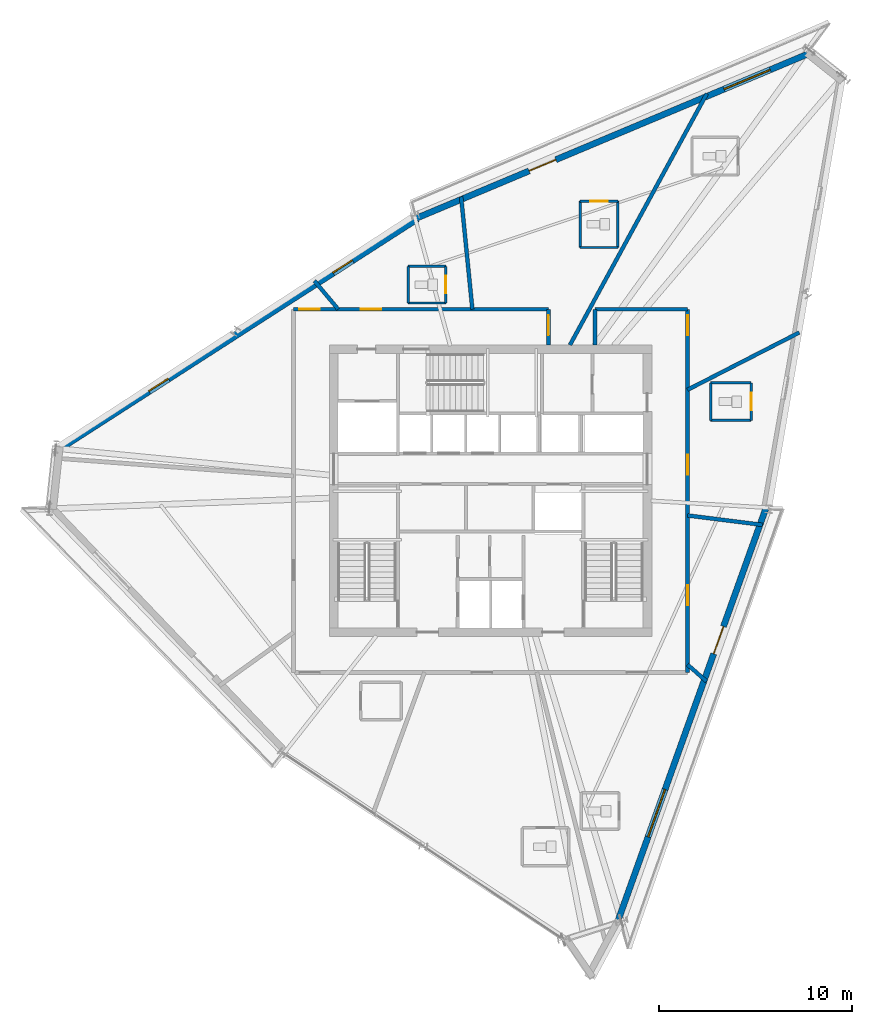
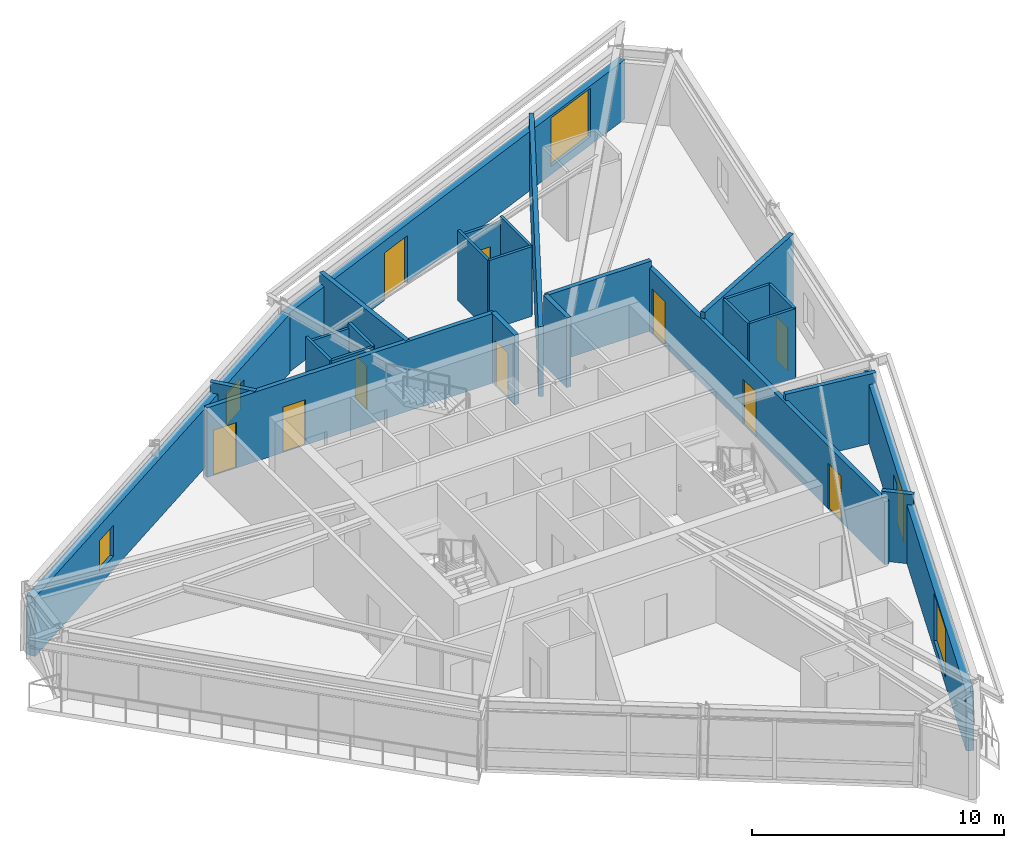
# One storey, part 10 of 15: 26 walls, 11 doors, 4 windows, 15 openings.
"""IFC4 building model written with IfcOpenShell, lengths in metres."""

import ifcopenshell
import ifcopenshell.guid

model = None  # the IFC model being written
_history = None  # IfcOwnerHistory: only IFC2X3 demands one
_inside = {}  # id of a spatial element -> (the spatial element, [elements in it])
_under = {}  # id of a project, library or spatial element -> (it, [spatial elements below it])
_declared = {}  # id of a project -> (the project, [libraries it declares])
_typed = {}  # id of a type object -> (the type object, [elements of that type])
_made_of = {}  # id of a material, layer set ... -> (it, [elements and type objects made of it])


def new_model(schema):
    """Start an empty IFC model of exactly this schema.

    Asked for "IFC4X3", IfcOpenShell would pick the latest addendum, in which some entities
    have other attributes; the version numbers below select the first issue.
    IFC2X3 requires an IfcOwnerHistory on every rooted entity: one is made here for all.
    """
    global model, _history
    if schema == "IFC4X3":
        model = ifcopenshell.file(schema_version=(4, 3, 0, 0))
    else:
        model = ifcopenshell.file(schema=schema)
    _inside.clear()
    _under.clear()
    _declared.clear()
    _typed.clear()
    _made_of.clear()
    _history = None
    if model.schema == "IFC2X3":
        org = make("IfcOrganization", Name="unknown")
        user = make(
            "IfcPersonAndOrganization",
            ThePerson=make("IfcPerson", FamilyName="unknown"),
            TheOrganization=org,
        )
        app = make(
            "IfcApplication",
            ApplicationDeveloper=org,
            Version="unknown",
            ApplicationFullName="unknown",
            ApplicationIdentifier="unknown",
        )
        _history = make(
            "IfcOwnerHistory",
            OwningUser=user,
            OwningApplication=app,
            ChangeAction="ADDED",
            CreationDate=0,
        )
    return model


def make(cls, **values):
    """One entity of the class cls with the attributes given. An attribute that is None is left unset."""
    return model.create_entity(
        cls, **{name: value for name, value in values.items() if value is not None}
    )


def rooted(cls, **values):
    """An entity with a GlobalId (a new one), such as an element, a storey or a relation."""
    return make(cls, GlobalId=ifcopenshell.guid.new(), OwnerHistory=_history, **values)


def si_unit(unit_type, name, prefix=None):
    """IfcSIUnit, for example si_unit("LENGTHUNIT", "METRE", prefix="MILLI")."""
    return make("IfcSIUnit", UnitType=unit_type, Prefix=prefix, Name=name)


def assignment(units):
    """IfcUnitAssignment: the units of a project."""
    return None if units is None else make("IfcUnitAssignment", Units=units)


def point(xyz):
    """IfcCartesianPoint."""
    return None if xyz is None else make("IfcCartesianPoint", Coordinates=xyz)


def direction(xyz):
    """IfcDirection."""
    return None if xyz is None else make("IfcDirection", DirectionRatios=xyz)


def frame(location, z_axis=None, x_axis=None):
    """IfcAxis2Placement3D, a coordinate frame: its origin and axes. An axis left out is left unset."""
    return make(
        "IfcAxis2Placement3D",
        Location=point(location),
        Axis=direction(z_axis),
        RefDirection=direction(x_axis),
    )


def frame_2d(location, x_axis=None):
    """IfcAxis2Placement2D, a coordinate frame in the plane: its origin and x axis."""
    return make(
        "IfcAxis2Placement2D", Location=point(location), RefDirection=direction(x_axis)
    )


def origin():
    """The frame at (0, 0, 0) with its axes left unset."""
    return frame((0.0, 0.0, 0.0))


def place(relative_to, where):
    """IfcLocalPlacement: puts the frame where relative to a parent placement (None: the world)."""
    return make(
        "IfcLocalPlacement", PlacementRelTo=relative_to, RelativePlacement=where
    )


def context(
    kind, dimensions, precision=None, world=None, true_north=None, identifier=None
):
    """IfcGeometricRepresentationContext, for example the 3D "Model" context."""
    return make(
        "IfcGeometricRepresentationContext",
        ContextIdentifier=identifier,
        ContextType=kind,
        CoordinateSpaceDimension=dimensions,
        Precision=precision,
        WorldCoordinateSystem=world,
        TrueNorth=true_north,
    )


def subcontext(parent, identifier, kind, view, scale=None):
    """IfcGeometricRepresentationSubContext, for example "Body" below "Model"."""
    return make(
        "IfcGeometricRepresentationSubContext",
        ContextIdentifier=identifier,
        ContextType=kind,
        ParentContext=parent,
        TargetScale=scale,
        TargetView=view,
    )


def project(units=None, contexts=None):
    """IfcProject with its units and contexts."""
    return rooted(
        "IfcProject",
        Name="project",
        RepresentationContexts=contexts,
        UnitsInContext=assignment(units),
    )


def spatial(cls, under=None, at=None, **own):
    """A site, building, storey or space (cls), placed at a placement, below another one or the project."""
    s = rooted(cls, ObjectPlacement=at, **own)
    if under is not None:
        _under.setdefault(under.id(), (under, []))[1].append(s)
    return s


def profile(cls, at=None, kind="AREA", **sizes):
    """A parametric profile (cls). Its sizes go by their IFC names, for example OverallWidth=200.0."""
    return make(cls, ProfileType=kind, Position=at, **sizes)


def rectangle(**sizes):
    """IfcRectangleProfileDef."""
    return profile("IfcRectangleProfileDef", **sizes)


def extrude(swept, where, along, depth):
    """IfcExtrudedAreaSolid: the profile swept, set in the frame where, extruded along a direction by depth."""
    return make(
        "IfcExtrudedAreaSolid",
        SweptArea=swept,
        Position=where,
        ExtrudedDirection=direction(along),
        Depth=depth,
    )


def shape(context_of_items, identifier, shape_type, items):
    """IfcShapeRepresentation: the items that make up one representation, for example the "Body"."""
    return make(
        "IfcShapeRepresentation",
        ContextOfItems=context_of_items,
        RepresentationIdentifier=identifier,
        RepresentationType=shape_type,
        Items=items,
    )


def source(mapping_origin, context_of_items, identifier, shape_type, items):
    """IfcRepresentationMap: a shape defined once, which mapped items show again and again."""
    return make(
        "IfcRepresentationMap",
        MappingOrigin=mapping_origin,
        MappedRepresentation=shape(context_of_items, identifier, shape_type, items),
    )


def transform(
    local_origin,
    x_axis=None,
    y_axis=None,
    z_axis=None,
    scale=None,
    scale2=None,
    scale3=None,
    uniform=True,
):
    """IfcCartesianTransformationOperator3D, or its non-uniform kind. x_axis, y_axis, z_axis: its Axis1, 2, 3."""
    if uniform:
        return make(
            "IfcCartesianTransformationOperator3D",
            Axis1=direction(x_axis),
            Axis2=direction(y_axis),
            LocalOrigin=point(local_origin),
            Scale=scale,
            Axis3=direction(z_axis),
        )
    return make(
        "IfcCartesianTransformationOperator3DnonUniform",
        Axis1=direction(x_axis),
        Axis2=direction(y_axis),
        LocalOrigin=point(local_origin),
        Scale=scale,
        Axis3=direction(z_axis),
        Scale2=scale2,
        Scale3=scale3,
    )


def mapped(mapping_source, mapping_target):
    """IfcMappedItem: shows the shape of a source again, moved by a transform."""
    return make(
        "IfcMappedItem", MappingSource=mapping_source, MappingTarget=mapping_target
    )


def material(Name=None, Category=None):
    """IfcMaterial."""
    return make("IfcMaterial", Name=Name, Category=Category)


def layer(
    of_material, thickness, ventilated=None, Name=None, Category=None, Priority=None
):
    """IfcMaterialLayer: one layer of a wall or slab, of a material (None: an air gap)."""
    return make(
        "IfcMaterialLayer",
        Material=of_material,
        LayerThickness=thickness,
        IsVentilated=ventilated,
        Name=Name,
        Category=Category,
        Priority=Priority,
    )


def layer_set(layers, Name=None):
    """IfcMaterialLayerSet."""
    return make("IfcMaterialLayerSet", MaterialLayers=layers, LayerSetName=Name)


def made_of(thing, what):
    """Note that an element or type object is made of a material, layer set ...; save() writes the relation."""
    if what is not None:
        _made_of.setdefault(what.id(), (what, []))[1].append(thing)
    return thing


def type_object(cls, material=None, **own):
    """A type object (cls), such as IfcWallType, which elements share."""
    return made_of(rooted(cls, **own), material)


def type_shapes(of_type, sources):
    """Give a type object the sources (RepresentationMaps) that its elements show as mapped items."""
    of_type.RepresentationMaps = sources


def element(
    cls,
    number,
    at=None,
    inside=None,
    cuts=None,
    type_object=None,
    material=None,
    context=None,
    identifier="Body",
    shape_type=None,
    held_by="IfcProductDefinitionShape",
    body=None,
    shapes=None,
    **own,
):
    """One element of the class cls, such as IfcWall. Its Tag is "e" and its number.

    at: its placement. inside: the storey or other place that contains it. cuts: it is an
    opening in that element (IfcRelVoidsElement). A single representation is given by context,
    identifier, shape_type and body (its items); several are given by shapes. held_by: the class
    of the entity that holds the representations. save() writes the other relations.
    """
    e = rooted(cls, Tag="e%d" % number, ObjectPlacement=at, **own)
    if body is not None:
        shapes = [shape(context, identifier, shape_type, body)]
    if shapes is not None:
        e.Representation = make(held_by, Representations=shapes)
    if inside is not None:
        _inside.setdefault(inside.id(), (inside, []))[1].append(e)
    if cuts is not None:
        rooted(
            "IfcRelVoidsElement", RelatingBuildingElement=cuts, RelatedOpeningElement=e
        )
    if type_object is not None:
        _typed.setdefault(type_object.id(), (type_object, []))[1].append(e)
    return made_of(e, material)


def fill(opening, filler):
    """IfcRelFillsElement: the door or window that sits in an opening."""
    return rooted(
        "IfcRelFillsElement",
        RelatingOpeningElement=opening,
        RelatedBuildingElement=filler,
    )


def aggregate(whole, parts):
    """IfcRelAggregates: a whole, such as a stair, and the parts it consists of."""
    return rooted("IfcRelAggregates", RelatingObject=whole, RelatedObjects=parts)


def save(model, path):
    """Write the relations noted so far, then the file.

    IfcRelAggregates (storeys below a building ...), IfcRelContainedInSpatialStructure (elements
    in a storey), IfcRelDefinesByType, IfcRelAssociatesMaterial and IfcRelDeclares: one each for
    every whole, place, type object, material and project.
    """
    for whole, parts in _under.values():
        aggregate(whole, parts)
    for where, things in _inside.values():
        rooted(
            "IfcRelContainedInSpatialStructure",
            RelatedElements=things,
            RelatingStructure=where,
        )
    for kind, things in _typed.values():
        rooted("IfcRelDefinesByType", RelatedObjects=things, RelatingType=kind)
    for what, things in _made_of.values():
        rooted("IfcRelAssociatesMaterial", RelatedObjects=things, RelatingMaterial=what)
    for by, libraries in _declared.values():
        rooted("IfcRelDeclares", RelatingContext=by, RelatedDefinitions=libraries)
    model.write(path)


model = new_model("IFC4")

# Units and contexts
model_context = context("Model", 3, precision=1e-05, world=origin(), true_north=direction((0.0, 1.0)))
body_context = subcontext(model_context, "Body", "Model", "MODEL_VIEW")
ifc_project = project(units=[si_unit("LENGTHUNIT", "METRE"), si_unit("AREAUNIT", "SQUARE_METRE"), si_unit("VOLUMEUNIT", "CUBIC_METRE"), si_unit("PLANEANGLEUNIT", "RADIAN"), si_unit("MASSUNIT", "GRAM", prefix="KILO")], contexts=[model_context])

# Site, building, storey
site_placement = place(None, origin())
site = spatial("IfcSite", under=ifc_project, at=site_placement, CompositionType="ELEMENT")
building_placement = place(site_placement, origin())
building = spatial("IfcBuilding", under=site, at=building_placement, Name="Olszyna Solenne Hotel", CompositionType="ELEMENT")
storey_placement = place(building_placement, frame((0.0, 0.0, 245.300048828125)))
storey = spatial("IfcBuildingStorey", under=building, at=storey_placement, Name="L65", CompositionType="ELEMENT", Elevation=245.300048828125)

# Wall, openings, door, window
ifc_material_1 = material(Name="Precast concrete C45/55", Category="concrete")
ifc_layer_1 = layer(ifc_material_1, 0.320068359375, Name="Precast concrete C45/55")
ifc_layer_set_1 = layer_set([ifc_layer_1], Name="Precast concrete C45/55")
wall_type_1 = type_object("IfcWallType", Name="WL-EX320", PredefinedType="SOLIDWALL", material=ifc_layer_set_1)
wall_1_placement = place(storey_placement, frame((52.257080078125, 25.692626953125, 0.0), z_axis=(0.0, 0.0, 1.0), x_axis=(-0.337512626034, -0.941321001183, 0.0)))
wall_1 = element("IfcWall", 1, at=wall_1_placement, inside=storey, type_object=wall_type_1, Name="Exterior terracotta-precast frame wall WL-EX320 EW-L65-01", PredefinedType="SOLIDWALL", context=body_context, shape_type="SweptSolid", body=[
    extrude(rectangle(XDim=22.663330078125, YDim=0.320068359375, at=frame_2d((11.33154296875, 0.0))), origin(), (0.0, 0.0, 1.0), 2.8720703125),
])
opening_1_placement = place(wall_1_placement, frame((6.501953125, 0.0, 0.0)))
opening_1 = element("IfcOpeningElement", 2, at=opening_1_placement, cuts=wall_1, Name="Opening LDG-L65-3", PredefinedType="OPENING", context=body_context, shape_type="SweptSolid", body=[
    extrude(rectangle(XDim=1.5, YDim=2.300048828125, at=frame_2d((0.75, 1.14990234375))), frame((0.0, 0.169921875, 0.0), z_axis=(0.0, -1.0, 0.0), x_axis=(1.0, 0.0, 0.0)), (0.0, 0.0, 1.0), 0.340087890625),
])
opening_2_placement = place(wall_1_placement, frame((15.470947265625, 0.0, 0.402099609375)))
opening_2 = element("IfcOpeningElement", 3, at=opening_2_placement, cuts=wall_1, Name="Opening WN-L65-425", PredefinedType="OPENING", context=body_context, shape_type="SweptSolid", body=[
    extrude(rectangle(XDim=2.60009765625, YDim=2.35009765625, at=frame_2d((1.300048828125, 1.175048828125))), frame((0.0, 0.169921875, 0.0), z_axis=(0.0, -1.0, 0.0), x_axis=(1.0, 0.0, 0.0)), (0.0, 0.0, 1.0), 0.340087890625),
])
ifc_material_2 = material(Name="Anodised bronze aluminium", Category="aluminium")
door_type_1 = type_object("IfcDoorType", Name="DR-LG2", OperationType="DOUBLE_DOOR_SINGLE_SWING", PredefinedType="DOOR", material=ifc_material_2)
shared_shape_1 = source(origin(), body_context, "Body", "SweptSolid", [
    extrude(rectangle(XDim=1.5, YDim=2.300048828125, at=frame_2d((0.75, 1.14990234375))), frame((0.0, 0.02490234375, 0.0), z_axis=(0.0, -1.0, 0.0), x_axis=(1.0, 0.0, 0.0)), (0.0, 0.0, 1.0), 0.050048828125),
])
type_shapes(door_type_1, [shared_shape_1])
door_1_placement = place(opening_1_placement, origin())
door_1 = element("IfcDoor", 4, at=door_1_placement, inside=storey, type_object=door_type_1, Name="Exterior loggia balcony door DR-LG2 LDG-L65-3", OperationType="DOUBLE_DOOR_SINGLE_SWING", OverallHeight=2.300048828125, OverallWidth=1.5, PredefinedType="DOOR", context=body_context, shape_type="MappedRepresentation", body=[
    mapped(shared_shape_1, transform((0.0, 0.0, 0.0), x_axis=(1.0, 0.0, 0.0), y_axis=(0.0, 1.0, 0.0), z_axis=(0.0, 0.0, 1.0), scale=1.0)),
])
fill(opening_1, door_1)
ifc_material_3 = material(Name="Low-E triple glazing", Category="glass")
window_type_1 = type_object("IfcWindowType", Name="WN-ST1", PartitioningType="SINGLE_PANEL", PredefinedType="WINDOW", material=ifc_material_3)
shared_shape_2 = source(origin(), body_context, "Body", "SweptSolid", [
    extrude(rectangle(XDim=2.60009765625, YDim=2.35009765625, at=frame_2d((1.300048828125, 1.175048828125))), frame((0.0, 0.030029296875, 0.0), z_axis=(0.0, -1.0, 0.0), x_axis=(1.0, 0.0, 0.0)), (0.0, 0.0, 1.0), 0.06005859375),
])
type_shapes(window_type_1, [shared_shape_2])
window_1_placement = place(opening_2_placement, origin())
window_1 = element("IfcWindow", 5, at=window_1_placement, inside=storey, type_object=window_type_1, Name="Loggia room window WN-ST1 WN-L65-425", OverallHeight=2.35009765625, OverallWidth=2.60009765625, PartitioningType="SINGLE_PANEL", PredefinedType="WINDOW", context=body_context, shape_type="MappedRepresentation", body=[
    mapped(shared_shape_2, transform((0.0, 0.0, 0.0), x_axis=(1.0, 0.0, 0.0), y_axis=(0.0, 1.0, 0.0), z_axis=(0.0, 0.0, 1.0), scale=1.0)),
])
fill(opening_2, window_1)

wall_2_placement = place(storey_placement, frame((34.15966796875, 40.714599609375, 0.0), z_axis=(0.0, 0.0, 1.0), x_axis=(0.922135211304, 0.386867744937, 0.0)))
wall_2 = element("IfcWall", 6, at=wall_2_placement, inside=storey, type_object=wall_type_1, Name="Exterior terracotta-precast frame wall WL-EX320 EW-L65-08", PredefinedType="SOLIDWALL", context=body_context, shape_type="SweptSolid", body=[
    extrude(rectangle(XDim=22.1240234375, YDim=0.320068359375, at=frame_2d((11.06201171875, 0.0))), origin(), (0.0, 0.0, 1.0), 2.8720703125),
])
opening_3_placement = place(wall_2_placement, frame((6.330078125, 0.0, 0.0)))
opening_3 = element("IfcOpeningElement", 7, at=opening_3_placement, cuts=wall_2, Name="Opening LDG-L65-1", PredefinedType="OPENING", context=body_context, shape_type="SweptSolid", body=[
    extrude(rectangle(XDim=1.5, YDim=2.300048828125, at=frame_2d((0.75, 1.14990234375))), frame((0.0, 0.169921875, 0.0), z_axis=(0.0, -1.0, 0.0), x_axis=(1.0, 0.0, 0.0)), (0.0, 0.0, 1.0), 0.340087890625),
])
opening_4_placement = place(wall_2_placement, frame((17.27197265625, 0.0, 0.402099609375)))
opening_4 = element("IfcOpeningElement", 8, at=opening_4_placement, cuts=wall_2, Name="Opening WN-L65-429", PredefinedType="OPENING", context=body_context, shape_type="SweptSolid", body=[
    extrude(rectangle(XDim=2.60009765625, YDim=2.35009765625, at=frame_2d((1.300048828125, 1.175048828125))), frame((0.0, 0.169921875, 0.0), z_axis=(0.0, -1.0, 0.0), x_axis=(1.0, 0.0, 0.0)), (0.0, 0.0, 1.0), 0.340087890625),
])
door_2_placement = place(opening_3_placement, origin())
door_2 = element("IfcDoor", 9, at=door_2_placement, inside=storey, type_object=door_type_1, Name="Exterior loggia balcony door DR-LG2 LDG-L65-1", OperationType="DOUBLE_DOOR_SINGLE_SWING", OverallHeight=2.300048828125, OverallWidth=1.5, PredefinedType="DOOR", context=body_context, shape_type="MappedRepresentation", body=[
    mapped(shared_shape_1, transform((0.0, 0.0, 0.0), x_axis=(1.0, 0.0, 0.0), y_axis=(0.0, 1.0, 0.0), z_axis=(0.0, 0.0, 1.0), scale=1.0)),
])
fill(opening_3, door_2)
window_2_placement = place(opening_4_placement, origin())
window_2 = element("IfcWindow", 10, at=window_2_placement, inside=storey, type_object=window_type_1, Name="Loggia room window WN-ST1 WN-L65-429", OverallHeight=2.35009765625, OverallWidth=2.60009765625, PartitioningType="SINGLE_PANEL", PredefinedType="WINDOW", context=body_context, shape_type="MappedRepresentation", body=[
    mapped(shared_shape_2, transform((0.0, 0.0, 0.0), x_axis=(1.0, 0.0, 0.0), y_axis=(0.0, 1.0, 0.0), z_axis=(0.0, 0.0, 1.0), scale=1.0)),
])
fill(opening_4, window_2)

# Wall, openings, windows
ifc_material_4 = material(Name="Terracotta cladding on precast concrete C45/55", Category="masonry")
ifc_layer_2 = layer(ifc_material_4, 0.3798828125, Name="Terracotta cladding on precast concrete C45/55")
ifc_layer_set_2 = layer_set([ifc_layer_2], Name="Terracotta cladding on precast concrete C45/55")
wall_type_2 = type_object("IfcWallType", Name="WL-EX380", PredefinedType="SOLIDWALL", material=ifc_layer_set_2)
wall_3_placement = place(storey_placement, frame((15.593017578125, 28.734619140625, 0.0), z_axis=(0.0, 0.0, 1.0), x_axis=(0.841061212788, 0.54093995632, 0.0)))
wall_3 = element("IfcWall", 11, at=wall_3_placement, inside=storey, type_object=wall_type_2, Name="Exterior terracotta-precast frame wall WL-EX380 EW-L65-07", PredefinedType="SOLIDWALL", context=body_context, shape_type="SweptSolid", body=[
    extrude(rectangle(XDim=22.1240234375, YDim=0.3798828125, at=frame_2d((11.06201171875, 0.0))), origin(), (0.0, 0.0, 1.0), 2.8720703125),
])
opening_5_placement = place(wall_3_placement, frame((5.594970703125, 0.0, 0.64990234375)))
opening_5 = element("IfcOpeningElement", 12, at=opening_5_placement, cuts=wall_3, Name="Opening WN-L65-427", PredefinedType="OPENING", context=body_context, shape_type="SweptSolid", body=[
    extrude(rectangle(XDim=1.199951171875, YDim=1.5, at=frame_2d((0.60009765625, 0.75))), frame((0.0, 0.199951171875, 0.0), z_axis=(0.0, -1.0, 0.0), x_axis=(1.0, 0.0, 0.0)), (0.0, 0.0, 1.0), 0.39990234375),
])
opening_6_placement = place(wall_3_placement, frame((16.928955078125, 0.0, 0.64990234375)))
opening_6 = element("IfcOpeningElement", 13, at=opening_6_placement, cuts=wall_3, Name="Opening WN-L65-428", PredefinedType="OPENING", context=body_context, shape_type="SweptSolid", body=[
    extrude(rectangle(XDim=1.199951171875, YDim=1.5, at=frame_2d((0.60009765625, 0.75))), frame((0.0, 0.199951171875, 0.0), z_axis=(0.0, -1.0, 0.0), x_axis=(1.0, 0.0, 0.0)), (0.0, 0.0, 1.0), 0.39990234375),
])
window_type_2 = type_object("IfcWindowType", Name="WN-B1", PartitioningType="SINGLE_PANEL", PredefinedType="WINDOW", material=ifc_material_3)
shared_shape_3 = source(origin(), body_context, "Body", "SweptSolid", [
    extrude(rectangle(XDim=1.199951171875, YDim=1.5, at=frame_2d((0.60009765625, 0.75))), frame((0.0, 0.030029296875, 0.0), z_axis=(0.0, -1.0, 0.0), x_axis=(1.0, 0.0, 0.0)), (0.0, 0.0, 1.0), 0.06005859375),
])
type_shapes(window_type_2, [shared_shape_3])
window_3_placement = place(opening_5_placement, origin())
window_3 = element("IfcWindow", 14, at=window_3_placement, inside=storey, type_object=window_type_2, Name="Exterior facade window WN-B1 WN-L65-427", OverallHeight=1.5, OverallWidth=1.199951171875, PartitioningType="SINGLE_PANEL", PredefinedType="WINDOW", context=body_context, shape_type="MappedRepresentation", body=[
    mapped(shared_shape_3, transform((0.0, 0.0, 0.0), x_axis=(1.0, 0.0, 0.0), y_axis=(0.0, 1.0, 0.0), z_axis=(0.0, 0.0, 1.0), scale=1.0)),
])
fill(opening_5, window_3)
window_4_placement = place(opening_6_placement, origin())
window_4 = element("IfcWindow", 15, at=window_4_placement, inside=storey, type_object=window_type_2, Name="Exterior facade window WN-B1 WN-L65-428", OverallHeight=1.5, OverallWidth=1.199951171875, PartitioningType="SINGLE_PANEL", PredefinedType="WINDOW", context=body_context, shape_type="MappedRepresentation", body=[
    mapped(shared_shape_3, transform((0.0, 0.0, 0.0), x_axis=(1.0, 0.0, 0.0), y_axis=(0.0, 1.0, 0.0), z_axis=(0.0, 0.0, 1.0), scale=1.0)),
])
fill(opening_6, window_4)

# Wall, opening, door
ifc_material_5 = material(Name="Acoustic gypsum partition", Category="gypsum")
ifc_layer_3 = layer(ifc_material_5, 0.125, Name="Acoustic gypsum partition")
ifc_layer_set_3 = layer_set([ifc_layer_3], Name="Acoustic gypsum partition")
wall_type_3 = type_object("IfcWallType", Name="WL-PT125", PredefinedType="PARTITIONING", material=ifc_layer_set_3)
wall_4_placement = place(storey_placement, frame((51.4990234375, 30.243896484375, 0.0), z_axis=(0.0, 0.0, 1.0), x_axis=(0.0, 1.0, 0.0)))
wall_4 = element("IfcWall", 16, at=wall_4_placement, inside=storey, type_object=wall_type_3, Name="Interior acoustic partition WL-PT125 PW-L65-3596", PredefinedType="PARTITIONING", context=body_context, shape_type="SweptSolid", body=[
    extrude(rectangle(XDim=1.9501953125, YDim=0.125, at=frame_2d((0.97509765625, 0.0))), origin(), (0.0, 0.0, 1.0), 3.3798828125),
])
opening_7_placement = place(wall_4_placement, frame((0.52490234375, 0.0, 0.0)))
opening_7 = element("IfcOpeningElement", 17, at=opening_7_placement, cuts=wall_4, Name="Opening DR-L65-0871", PredefinedType="OPENING", context=body_context, shape_type="SweptSolid", body=[
    extrude(rectangle(XDim=0.89990234375, YDim=2.10009765625, at=frame_2d((0.449951171875, 1.050048828125))), frame((0.0, 0.072509765625, 0.0), z_axis=(0.0, -1.0, 0.0), x_axis=(1.0, 0.0, 0.0)), (0.0, 0.0, 1.0), 0.14501953125),
])
ifc_material_6 = material(Name="Timber hardwood", Category="wood")
door_type_2 = type_object("IfcDoorType", Name="DR-WC1", OperationType="NOTDEFINED", PredefinedType="DOOR", material=ifc_material_6)
shared_shape_4 = source(origin(), body_context, "Body", "SweptSolid", [
    extrude(rectangle(XDim=0.89990234375, YDim=2.10009765625, at=frame_2d((0.449951171875, 1.050048828125))), frame((0.0, 0.02490234375, 0.0), z_axis=(0.0, -1.0, 0.0), x_axis=(1.0, 0.0, 0.0)), (0.0, 0.0, 1.0), 0.050048828125),
])
type_shapes(door_type_2, [shared_shape_4])
door_3_placement = place(opening_7_placement, origin())
door_3 = element("IfcDoor", 18, at=door_3_placement, inside=storey, type_object=door_type_2, Name="En-Suite Bathroom Door DR-L65-0871", OperationType="SINGLE_SWING_RIGHT", OverallHeight=2.10009765625, OverallWidth=0.89990234375, PredefinedType="DOOR", context=body_context, shape_type="MappedRepresentation", body=[
    mapped(shared_shape_4, transform((0.0, 0.0, 0.0), x_axis=(1.0, 0.0, 0.0), y_axis=(0.0, 1.0, 0.0), z_axis=(0.0, 0.0, 1.0), scale=1.0)),
])
fill(opening_7, door_3)

# Walls
wall_5_placement = place(storey_placement, frame((51.4990234375, 32.194091796875, 0.0), z_axis=(0.0, 0.0, 1.0), x_axis=(-1.0, 0.0, 0.0)))
element("IfcWall", 19, at=wall_5_placement, inside=storey, type_object=wall_type_3, Name="Interior acoustic partition WL-PT125 PW-L65-3597", PredefinedType="PARTITIONING", context=body_context, shape_type="SweptSolid", body=[
    extrude(rectangle(XDim=2.10009765625, YDim=0.125, at=frame_2d((1.050048828125, 0.0))), origin(), (0.0, 0.0, 1.0), 3.3798828125),
])
wall_6_placement = place(storey_placement, frame((49.39892578125, 32.194091796875, 0.0), z_axis=(0.0, 0.0, 1.0), x_axis=(0.0, -1.0, 0.0)))
element("IfcWall", 20, at=wall_6_placement, inside=storey, type_object=wall_type_3, Name="Interior acoustic partition WL-PT125 PW-L65-3598", PredefinedType="PARTITIONING", context=body_context, shape_type="SweptSolid", body=[
    extrude(rectangle(XDim=1.9501953125, YDim=0.125, at=frame_2d((0.97509765625, 0.0))), origin(), (0.0, 0.0, 1.0), 3.3798828125),
])
wall_7_placement = place(storey_placement, frame((49.39892578125, 30.243896484375, 0.0), z_axis=(0.0, 0.0, 1.0), x_axis=(1.0, 0.0, 0.0)))
element("IfcWall", 21, at=wall_7_placement, inside=storey, type_object=wall_type_3, Name="Interior acoustic partition WL-PT125 PW-L65-3599", PredefinedType="PARTITIONING", context=body_context, shape_type="SweptSolid", body=[
    extrude(rectangle(XDim=2.10009765625, YDim=0.125, at=frame_2d((1.050048828125, 0.0))), origin(), (0.0, 0.0, 1.0), 3.3798828125),
])
wall_8_placement = place(storey_placement, frame((44.593017578125, 39.197021484375, 0.0), z_axis=(0.0, 0.0, 1.0), x_axis=(0.0, 1.0, 0.0)))
element("IfcWall", 22, at=wall_8_placement, inside=storey, type_object=wall_type_3, Name="Interior acoustic partition WL-PT125 PW-L65-3604", PredefinedType="PARTITIONING", context=body_context, shape_type="SweptSolid", body=[
    extrude(rectangle(XDim=2.39990234375, YDim=0.125, at=frame_2d((1.199951171875, 0.0))), origin(), (0.0, 0.0, 1.0), 3.3798828125),
])

# Wall, opening, door
wall_9_placement = place(storey_placement, frame((44.593017578125, 41.596923828125, 0.0), z_axis=(0.0, 0.0, 1.0), x_axis=(-1.0, 0.0, 0.0)))
wall_9 = element("IfcWall", 23, at=wall_9_placement, inside=storey, type_object=wall_type_3, Name="Interior acoustic partition WL-PT125 PW-L65-3605", PredefinedType="PARTITIONING", context=body_context, shape_type="SweptSolid", body=[
    extrude(rectangle(XDim=1.949951171875, YDim=0.125, at=frame_2d((0.97509765625, 0.0))), origin(), (0.0, 0.0, 1.0), 3.125),
])
opening_8_placement = place(wall_9_placement, frame((0.52490234375, 0.0, 0.0)))
opening_8 = element("IfcOpeningElement", 24, at=opening_8_placement, cuts=wall_9, Name="Opening DR-L65-0873", PredefinedType="OPENING", context=body_context, shape_type="SweptSolid", body=[
    extrude(rectangle(XDim=0.89990234375, YDim=2.10009765625, at=frame_2d((0.449951171875, 1.050048828125))), frame((0.0, 0.072509765625, 0.0), z_axis=(0.0, -1.0, 0.0), x_axis=(1.0, 0.0, 0.0)), (0.0, 0.0, 1.0), 0.14501953125),
])
door_4_placement = place(opening_8_placement, origin())
door_4 = element("IfcDoor", 25, at=door_4_placement, inside=storey, type_object=door_type_2, Name="En-Suite Bathroom Door DR-L65-0873", OperationType="SINGLE_SWING_LEFT", OverallHeight=2.10009765625, OverallWidth=0.89990234375, PredefinedType="DOOR", context=body_context, shape_type="MappedRepresentation", body=[
    mapped(shared_shape_4, transform((0.0, 0.0, 0.0), x_axis=(1.0, 0.0, 0.0), y_axis=(0.0, 1.0, 0.0), z_axis=(0.0, 0.0, 1.0), scale=1.0)),
])
fill(opening_8, door_4)

# Walls
wall_10_placement = place(storey_placement, frame((42.64306640625, 41.596923828125, 0.0), z_axis=(0.0, 0.0, 1.0), x_axis=(0.0, -1.0, 0.0)))
element("IfcWall", 26, at=wall_10_placement, inside=storey, type_object=wall_type_3, Name="Interior acoustic partition WL-PT125 PW-L65-3606", PredefinedType="PARTITIONING", context=body_context, shape_type="SweptSolid", body=[
    extrude(rectangle(XDim=2.39990234375, YDim=0.125, at=frame_2d((1.199951171875, 0.0))), origin(), (0.0, 0.0, 1.0), 3.3798828125),
])
wall_11_placement = place(storey_placement, frame((42.64306640625, 39.197021484375, 0.0), z_axis=(0.0, 0.0, 1.0), x_axis=(1.0, 0.0, 0.0)))
element("IfcWall", 27, at=wall_11_placement, inside=storey, type_object=wall_type_3, Name="Interior acoustic partition WL-PT125 PW-L65-3607", PredefinedType="PARTITIONING", context=body_context, shape_type="SweptSolid", body=[
    extrude(rectangle(XDim=1.949951171875, YDim=0.125, at=frame_2d((0.97509765625, 0.0))), origin(), (0.0, 0.0, 1.0), 3.3798828125),
])

# Wall, opening, door
wall_12_placement = place(storey_placement, frame((35.681884765625, 36.322998046875, 0.0), z_axis=(0.0, 0.0, 1.0), x_axis=(0.0, 1.0, 0.0)))
wall_12 = element("IfcWall", 28, at=wall_12_placement, inside=storey, type_object=wall_type_3, Name="Interior acoustic partition WL-PT125 PW-L65-3608", PredefinedType="PARTITIONING", context=body_context, shape_type="SweptSolid", body=[
    extrude(rectangle(XDim=1.89990234375, YDim=0.125, at=frame_2d((0.949951171875, 0.0))), origin(), (0.0, 0.0, 1.0), 3.3798828125),
])
opening_9_placement = place(wall_12_placement, frame((0.5, 0.0, 0.0)))
opening_9 = element("IfcOpeningElement", 29, at=opening_9_placement, cuts=wall_12, Name="Opening DR-L65-0874", PredefinedType="OPENING", context=body_context, shape_type="SweptSolid", body=[
    extrude(rectangle(XDim=0.89990234375, YDim=2.10009765625, at=frame_2d((0.449951171875, 1.050048828125))), frame((0.0, 0.072509765625, 0.0), z_axis=(0.0, -1.0, 0.0), x_axis=(1.0, 0.0, 0.0)), (0.0, 0.0, 1.0), 0.14501953125),
])
door_5_placement = place(opening_9_placement, origin())
door_5 = element("IfcDoor", 30, at=door_5_placement, inside=storey, type_object=door_type_2, Name="En-Suite Bathroom Door DR-L65-0874", OperationType="SINGLE_SWING_RIGHT", OverallHeight=2.10009765625, OverallWidth=0.89990234375, PredefinedType="DOOR", context=body_context, shape_type="MappedRepresentation", body=[
    mapped(shared_shape_4, transform((0.0, 0.0, 0.0), x_axis=(1.0, 0.0, 0.0), y_axis=(0.0, 1.0, 0.0), z_axis=(0.0, 0.0, 1.0), scale=1.0)),
])
fill(opening_9, door_5)

# Walls
wall_13_placement = place(storey_placement, frame((35.681884765625, 38.222900390625, 0.0), z_axis=(0.0, 0.0, 1.0), x_axis=(-1.0, 0.0, 0.0)))
element("IfcWall", 31, at=wall_13_placement, inside=storey, type_object=wall_type_3, Name="Interior acoustic partition WL-PT125 PW-L65-3609", PredefinedType="PARTITIONING", context=body_context, shape_type="SweptSolid", body=[
    extrude(rectangle(XDim=1.949951171875, YDim=0.125, at=frame_2d((0.97509765625, 0.0))), origin(), (0.0, 0.0, 1.0), 3.125),
])
wall_14_placement = place(storey_placement, frame((33.73193359375, 38.222900390625, 0.0), z_axis=(0.0, 0.0, 1.0), x_axis=(0.0, -1.0, 0.0)))
element("IfcWall", 32, at=wall_14_placement, inside=storey, type_object=wall_type_3, Name="Interior acoustic partition WL-PT125 PW-L65-3610", PredefinedType="PARTITIONING", context=body_context, shape_type="SweptSolid", body=[
    extrude(rectangle(XDim=1.89990234375, YDim=0.125, at=frame_2d((0.949951171875, 0.0))), origin(), (0.0, 0.0, 1.0), 3.3798828125),
])
wall_15_placement = place(storey_placement, frame((33.73193359375, 36.322998046875, 0.0), z_axis=(0.0, 0.0, 1.0), x_axis=(1.0, 0.0, 0.0)))
element("IfcWall", 33, at=wall_15_placement, inside=storey, type_object=wall_type_3, Name="Interior acoustic partition WL-PT125 PW-L65-3611", PredefinedType="PARTITIONING", context=body_context, shape_type="SweptSolid", body=[
    extrude(rectangle(XDim=1.949951171875, YDim=0.125, at=frame_2d((0.97509765625, 0.0))), origin(), (0.0, 0.0, 1.0), 3.3798828125),
])
ifc_layer_4 = layer(ifc_material_5, 0.199951171875, Name="Acoustic gypsum partition")
ifc_layer_set_4 = layer_set([ifc_layer_4], Name="Acoustic gypsum partition")
wall_type_4 = type_object("IfcWallType", Name="WL-PT200", PredefinedType="PARTITIONING", material=ifc_layer_set_4)
wall_16_placement = place(storey_placement, frame((48.199951171875, 17.598388671875, 0.0), z_axis=(0.0, 0.0, 1.0), x_axis=(0.749810659064, -0.661652458284, 0.0)))
element("IfcWall", 34, at=wall_16_placement, inside=storey, type_object=wall_type_4, Name="Interior acoustic partition WL-PT200 PW-L65-3580", PredefinedType="PARTITIONING", context=body_context, shape_type="SweptSolid", body=[
    extrude(rectangle(XDim=1.309814453125, YDim=0.199951171875, at=frame_2d((0.65478515625, 0.0))), origin(), (0.0, 0.0, 1.0), 3.3798828125),
])
wall_17_placement = place(storey_placement, frame((48.199951171875, 25.32177734375, 0.0), z_axis=(0.0, 0.0, 1.0), x_axis=(0.992243327494, -0.124310816274, 0.0)))
element("IfcWall", 35, at=wall_17_placement, inside=storey, type_object=wall_type_4, Name="Interior acoustic partition WL-PT200 PW-L65-3581", PredefinedType="PARTITIONING", context=body_context, shape_type="SweptSolid", body=[
    extrude(rectangle(XDim=3.91796875, YDim=0.199951171875, at=frame_2d((1.958984375, 0.0))), origin(), (0.0, 0.0, 1.0), 3.3798828125),
])
wall_18_placement = place(storey_placement, frame((48.199951171875, 31.8291015625, 0.0), z_axis=(0.0, 0.0, 1.0), x_axis=(0.889862398015, 0.456229013324, 0.0)))
element("IfcWall", 36, at=wall_18_placement, inside=storey, type_object=wall_type_4, Name="Interior acoustic partition WL-PT200 PW-L65-3582", PredefinedType="PARTITIONING", context=body_context, shape_type="SweptSolid", body=[
    extrude(rectangle(XDim=6.50439453125, YDim=0.199951171875, at=frame_2d((3.252197265625, 0.0))), origin(), (0.0, 0.0, 1.0), 3.3798828125),
])
wall_19_placement = place(storey_placement, frame((42.111572265625, 34.14990234375, 0.0), z_axis=(0.0, 0.0, 1.0), x_axis=(0.478252978847, 0.878222117817, 0.0)))
element("IfcWall", 37, at=wall_19_placement, inside=storey, type_object=wall_type_4, Name="Interior acoustic partition WL-PT200 PW-L65-3583", PredefinedType="PARTITIONING", context=body_context, shape_type="SweptSolid", body=[
    extrude(rectangle(XDim=14.81982421875, YDim=0.199951171875, at=frame_2d((7.409912109375, 0.0))), origin(), (0.0, 0.0, 1.0), 3.3798828125),
])
wall_20_placement = place(storey_placement, frame((37.059326171875, 36.0, 0.0), z_axis=(0.0, 0.0, 1.0), x_axis=(-0.099549120858, 0.99503264898, 0.0)))
element("IfcWall", 38, at=wall_20_placement, inside=storey, type_object=wall_type_4, Name="Interior acoustic partition WL-PT200 PW-L65-3584", PredefinedType="PARTITIONING", context=body_context, shape_type="SweptSolid", body=[
    extrude(rectangle(XDim=5.8564453125, YDim=0.199951171875, at=frame_2d((2.92822265625, 0.0))), origin(), (0.0, 0.0, 1.0), 3.3798828125),
])
wall_21_placement = place(storey_placement, frame((30.112548828125, 36.0, 0.0), z_axis=(0.0, 0.0, 1.0), x_axis=(-0.642845923279, 0.765995508423, 0.0)))
element("IfcWall", 39, at=wall_21_placement, inside=storey, type_object=wall_type_4, Name="Interior acoustic partition WL-PT200 PW-L65-3585", PredefinedType="PARTITIONING", context=body_context, shape_type="SweptSolid", body=[
    extrude(rectangle(XDim=1.9189453125, YDim=0.199951171875, at=frame_2d((0.95947265625, 0.0))), origin(), (0.0, 0.0, 1.0), 3.3798828125),
])

# Wall, openings, doors
wall_22_placement = place(storey_placement, frame((27.800048828125, 36.0, 0.0), z_axis=(0.0, 0.0, 1.0), x_axis=(1.0, 0.0, 0.0)))
wall_22 = element("IfcWall", 40, at=wall_22_placement, inside=storey, type_object=wall_type_4, Name="Interior acoustic partition WL-PT200 PW-L65-3618", PredefinedType="PARTITIONING", context=body_context, shape_type="SweptSolid", body=[
    extrude(rectangle(XDim=13.199951171875, YDim=0.199951171875, at=frame_2d((6.60009765625, 0.0))), origin(), (0.0, 0.0, 1.0), 3.3798828125),
])
opening_10_placement = place(wall_22_placement, frame((3.48388671875, 0.0, 0.0)))
opening_10 = element("IfcOpeningElement", 41, at=opening_10_placement, cuts=wall_22, Name="Opening DR-L65-0880", PredefinedType="OPENING", context=body_context, shape_type="SweptSolid", body=[
    extrude(rectangle(XDim=1.050048828125, YDim=2.199951171875, at=frame_2d((0.52490234375, 1.10009765625))), frame((0.0, 0.10986328125, 0.0), z_axis=(0.0, -1.0, 0.0), x_axis=(1.0, 0.0, 0.0)), (0.0, 0.0, 1.0), 0.219970703125),
])
opening_11_placement = place(wall_22_placement, frame((0.300048828125, 0.0, 0.0)))
opening_11 = element("IfcOpeningElement", 42, at=opening_11_placement, cuts=wall_22, Name="Opening DR-L65-0881", PredefinedType="OPENING", context=body_context, shape_type="SweptSolid", body=[
    extrude(rectangle(XDim=1.050048828125, YDim=2.199951171875, at=frame_2d((0.52490234375, 1.10009765625))), frame((0.0, 0.10986328125, 0.0), z_axis=(0.0, -1.0, 0.0), x_axis=(1.0, 0.0, 0.0)), (0.0, 0.0, 1.0), 0.219970703125),
])
door_type_3 = type_object("IfcDoorType", Name="DR-RM2", OperationType="NOTDEFINED", PredefinedType="DOOR", material=ifc_material_6)
shared_shape_5 = source(origin(), body_context, "Body", "SweptSolid", [
    extrude(rectangle(XDim=1.050048828125, YDim=2.199951171875, at=frame_2d((0.52490234375, 1.10009765625))), frame((0.0, 0.02490234375, 0.0), z_axis=(0.0, -1.0, 0.0), x_axis=(1.0, 0.0, 0.0)), (0.0, 0.0, 1.0), 0.050048828125),
])
type_shapes(door_type_3, [shared_shape_5])
door_6_placement = place(opening_10_placement, origin())
door_6 = element("IfcDoor", 43, at=door_6_placement, inside=storey, type_object=door_type_3, Name="Deluxe Hotel Guestroom Entrance Door DR-L65-0880", OperationType="SINGLE_SWING_RIGHT", OverallHeight=2.199951171875, OverallWidth=1.050048828125, PredefinedType="DOOR", context=body_context, shape_type="MappedRepresentation", body=[
    mapped(shared_shape_5, transform((0.0, 0.0, 0.0), x_axis=(1.0, 0.0, 0.0), y_axis=(0.0, 1.0, 0.0), z_axis=(0.0, 0.0, 1.0), scale=1.0)),
])
fill(opening_10, door_6)
door_7_placement = place(opening_11_placement, origin())
door_7 = element("IfcDoor", 44, at=door_7_placement, inside=storey, type_object=door_type_3, Name="Breakfast Tasting Salon Entrance Door DR-L65-0881", OperationType="SINGLE_SWING_LEFT", OverallHeight=2.199951171875, OverallWidth=1.050048828125, PredefinedType="DOOR", context=body_context, shape_type="MappedRepresentation", body=[
    mapped(shared_shape_5, transform((0.0, 0.0, 0.0), x_axis=(1.0, 0.0, 0.0), y_axis=(0.0, 1.0, 0.0), z_axis=(0.0, 0.0, 1.0), scale=1.0)),
])
fill(opening_11, door_7)

# Wall, opening, door
wall_23_placement = place(storey_placement, frame((41.0, 34.14990234375, 0.0), z_axis=(0.0, 0.0, 1.0), x_axis=(0.0, 1.0, 0.0)))
wall_23 = element("IfcWall", 45, at=wall_23_placement, inside=storey, type_object=wall_type_4, Name="Interior acoustic partition WL-PT200 PW-L65-3619", PredefinedType="PARTITIONING", context=body_context, shape_type="SweptSolid", body=[
    extrude(rectangle(XDim=1.85009765625, YDim=0.199951171875, at=frame_2d((0.925048828125, 0.0))), origin(), (0.0, 0.0, 1.0), 3.3798828125),
])
opening_12_placement = place(wall_23_placement, frame((0.5, 0.0, 0.0)))
opening_12 = element("IfcOpeningElement", 46, at=opening_12_placement, cuts=wall_23, Name="Opening DR-L65-0882", PredefinedType="OPENING", context=body_context, shape_type="SweptSolid", body=[
    extrude(rectangle(XDim=1.050048828125, YDim=2.199951171875, at=frame_2d((0.52490234375, 1.10009765625))), frame((0.0, 0.10986328125, 0.0), z_axis=(0.0, -1.0, 0.0), x_axis=(1.0, 0.0, 0.0)), (0.0, 0.0, 1.0), 0.219970703125),
])
door_8_placement = place(opening_12_placement, origin())
door_8 = element("IfcDoor", 47, at=door_8_placement, inside=storey, type_object=door_type_3, Name="Deluxe Hotel Guestroom Entrance Door DR-L65-0882", OperationType="SINGLE_SWING_LEFT", OverallHeight=2.199951171875, OverallWidth=1.050048828125, PredefinedType="DOOR", context=body_context, shape_type="MappedRepresentation", body=[
    mapped(shared_shape_5, transform((0.0, 0.0, 0.0), x_axis=(1.0, 0.0, 0.0), y_axis=(0.0, 1.0, 0.0), z_axis=(0.0, 0.0, 1.0), scale=1.0)),
])
fill(opening_12, door_8)

# Walls
wall_24_placement = place(storey_placement, frame((43.39990234375, 36.0, 0.0), z_axis=(0.0, 0.0, 1.0), x_axis=(1.0, 0.0, 0.0)))
element("IfcWall", 48, at=wall_24_placement, inside=storey, type_object=wall_type_4, Name="Interior acoustic partition WL-PT200 PW-L65-3620", PredefinedType="PARTITIONING", context=body_context, shape_type="SweptSolid", body=[
    extrude(rectangle(XDim=4.800048828125, YDim=0.199951171875, at=frame_2d((2.39990234375, 0.0))), origin(), (0.0, 0.0, 1.0), 3.3798828125),
])
wall_25_placement = place(storey_placement, frame((43.39990234375, 34.14990234375, 0.0), z_axis=(0.0, 0.0, 1.0), x_axis=(0.0, 1.0, 0.0)))
element("IfcWall", 49, at=wall_25_placement, inside=storey, type_object=wall_type_4, Name="Interior acoustic partition WL-PT200 PW-L65-3621", PredefinedType="PARTITIONING", context=body_context, shape_type="SweptSolid", body=[
    extrude(rectangle(XDim=1.85009765625, YDim=0.199951171875, at=frame_2d((0.925048828125, 0.0))), origin(), (0.0, 0.0, 1.0), 3.3798828125),
])

# Wall, openings, doors
wall_26_placement = place(storey_placement, frame((48.199951171875, 17.199951171875, 0.0), z_axis=(0.0, 0.0, 1.0), x_axis=(0.0, 1.0, 0.0)))
wall_26 = element("IfcWall", 50, at=wall_26_placement, inside=storey, type_object=wall_type_4, Name="Interior acoustic partition WL-PT200 PW-L65-3622", PredefinedType="PARTITIONING", context=body_context, shape_type="SweptSolid", body=[
    extrude(rectangle(XDim=18.800048828125, YDim=0.199951171875, at=frame_2d((9.39990234375, 0.0))), origin(), (0.0, 0.0, 1.0), 3.06494140625),
])
opening_13_placement = place(wall_26_placement, frame((3.467041015625, 0.0, 0.0)))
opening_13 = element("IfcOpeningElement", 51, at=opening_13_placement, cuts=wall_26, Name="Opening DR-L65-0883", PredefinedType="OPENING", context=body_context, shape_type="SweptSolid", body=[
    extrude(rectangle(XDim=1.050048828125, YDim=2.199951171875, at=frame_2d((0.52490234375, 1.10009765625))), frame((0.0, 0.10986328125, 0.0), z_axis=(0.0, -1.0, 0.0), x_axis=(1.0, 0.0, 0.0)), (0.0, 0.0, 1.0), 0.219970703125),
])
opening_14_placement = place(wall_26_placement, frame((10.219970703125, 0.0, 0.0)))
opening_14 = element("IfcOpeningElement", 52, at=opening_14_placement, cuts=wall_26, Name="Opening DR-L65-0884", PredefinedType="OPENING", context=body_context, shape_type="SweptSolid", body=[
    extrude(rectangle(XDim=1.050048828125, YDim=2.199951171875, at=frame_2d((0.52490234375, 1.10009765625))), frame((0.0, 0.10986328125, 0.0), z_axis=(0.0, -1.0, 0.0), x_axis=(1.0, 0.0, 0.0)), (0.0, 0.0, 1.0), 0.219970703125),
])
opening_15_placement = place(wall_26_placement, frame((17.449951171875, 0.0, 0.0)))
opening_15 = element("IfcOpeningElement", 53, at=opening_15_placement, cuts=wall_26, Name="Opening DR-L65-0885", PredefinedType="OPENING", context=body_context, shape_type="SweptSolid", body=[
    extrude(rectangle(XDim=1.050048828125, YDim=2.199951171875, at=frame_2d((0.52490234375, 1.10009765625))), frame((0.0, 0.10986328125, 0.0), z_axis=(0.0, -1.0, 0.0), x_axis=(1.0, 0.0, 0.0)), (0.0, 0.0, 1.0), 0.219970703125),
])
door_9_placement = place(opening_13_placement, origin())
door_9 = element("IfcDoor", 54, at=door_9_placement, inside=storey, type_object=door_type_3, Name="Deluxe Hotel Guestroom Entrance Door DR-L65-0883", OperationType="SINGLE_SWING_RIGHT", OverallHeight=2.199951171875, OverallWidth=1.050048828125, PredefinedType="DOOR", context=body_context, shape_type="MappedRepresentation", body=[
    mapped(shared_shape_5, transform((0.0, 0.0, 0.0), x_axis=(1.0, 0.0, 0.0), y_axis=(0.0, 1.0, 0.0), z_axis=(0.0, 0.0, 1.0), scale=1.0)),
])
fill(opening_13, door_9)
door_10_placement = place(opening_14_placement, origin())
door_10 = element("IfcDoor", 55, at=door_10_placement, inside=storey, type_object=door_type_3, Name="Deluxe Hotel Guestroom Entrance Door DR-L65-0884", OperationType="SINGLE_SWING_LEFT", OverallHeight=2.199951171875, OverallWidth=1.050048828125, PredefinedType="DOOR", context=body_context, shape_type="MappedRepresentation", body=[
    mapped(shared_shape_5, transform((0.0, 0.0, 0.0), x_axis=(1.0, 0.0, 0.0), y_axis=(0.0, 1.0, 0.0), z_axis=(0.0, 0.0, 1.0), scale=1.0)),
])
fill(opening_14, door_10)
door_11_placement = place(opening_15_placement, origin())
door_11 = element("IfcDoor", 56, at=door_11_placement, inside=storey, type_object=door_type_3, Name="Deluxe Hotel Guestroom Entrance Door DR-L65-0885", OperationType="SINGLE_SWING_RIGHT", OverallHeight=2.199951171875, OverallWidth=1.050048828125, PredefinedType="DOOR", context=body_context, shape_type="MappedRepresentation", body=[
    mapped(shared_shape_5, transform((0.0, 0.0, 0.0), x_axis=(1.0, 0.0, 0.0), y_axis=(0.0, 1.0, 0.0), z_axis=(0.0, 0.0, 1.0), scale=1.0)),
])
fill(opening_15, door_11)

save(model, "model.ifc")
